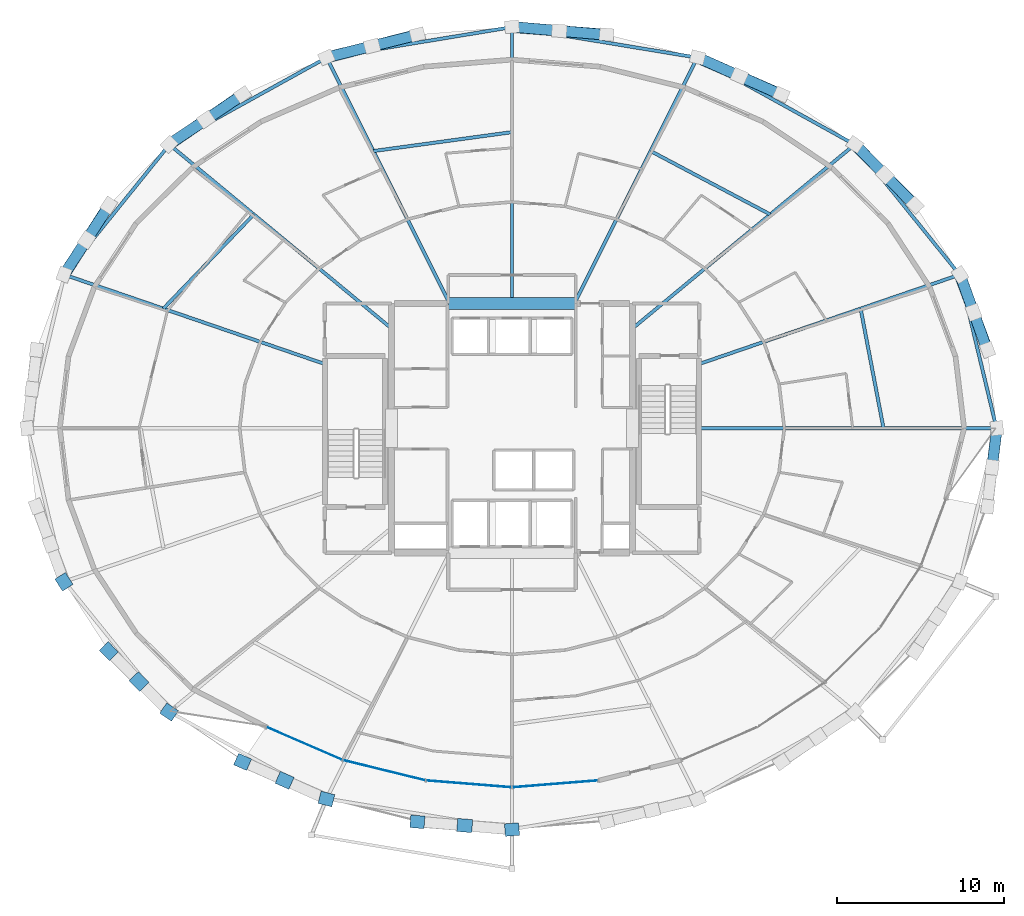
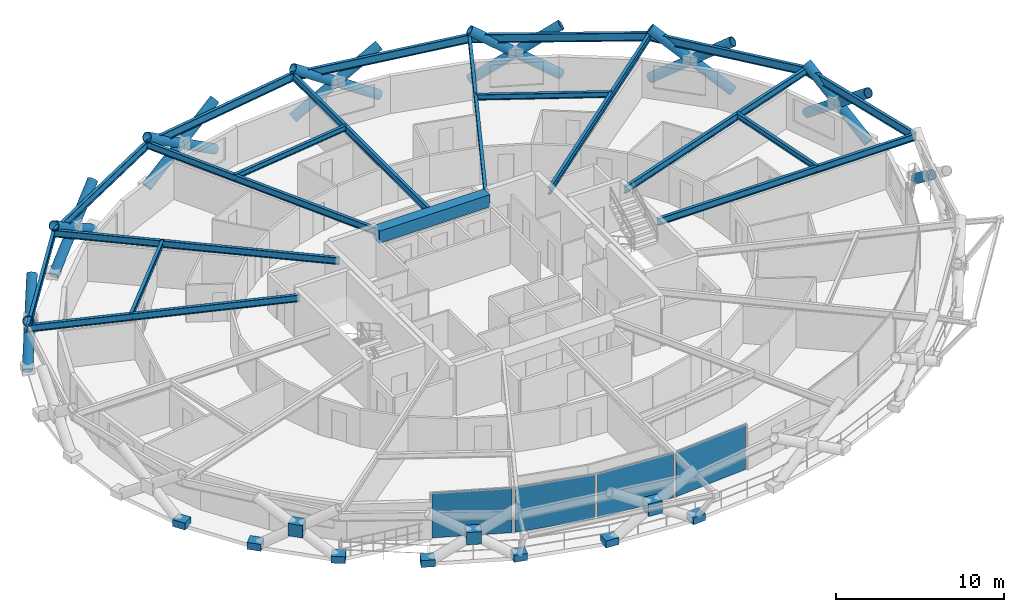
# One storey, part 11 of 20: 22 members, 20 beams, 14 plates, 1 element without a shape of its own.
"""IFC4 building model written with IfcOpenShell, lengths in metres."""

from ifc_helpers import new_model, si_unit, direction, frame, origin, origin_2d, place, context, subcontext, project, spatial, rectangle, hollow_circle, i_section, extrude, material, layer, layer_set, material_profile, profile_set, type_object, element, aggregate, save


model = new_model("IFC4")

# Units and contexts
model_context = context("Model", 3, precision=1e-05, world=origin(), true_north=direction((0.0, 1.0)))
body_context = subcontext(model_context, "Body", "Model", "MODEL_VIEW")
ifc_project = project(units=[si_unit("LENGTHUNIT", "METRE"), si_unit("AREAUNIT", "SQUARE_METRE"), si_unit("VOLUMEUNIT", "CUBIC_METRE"), si_unit("PLANEANGLEUNIT", "RADIAN"), si_unit("MASSUNIT", "GRAM", prefix="KILO")], contexts=[model_context])

# Site, building, storey
site_placement = place(None, origin())
site = spatial("IfcSite", under=ifc_project, at=site_placement, CompositionType="ELEMENT")
building_placement = place(site_placement, origin())
building = spatial("IfcBuilding", under=site, at=building_placement, Name="Veldorina Hangang Commons", CompositionType="ELEMENT")
storey_placement = place(building_placement, frame((0.0, 0.0, 84.39990234375)))
storey = spatial("IfcBuildingStorey", under=building, at=storey_placement, Name="L21", CompositionType="ELEMENT", Elevation=84.39990234375)

# Beams
ifc_material_1 = material(Name="Concrete C70/85", Category="concrete")
ifc_material_profile_1 = material_profile(ifc_material_1, rectangle(XDim=0.699951171875, YDim=0.89990234375, at=origin_2d()), Name="RC-CB-700x900")
ifc_profile_set_1 = profile_set([ifc_material_profile_1], Name="Concrete C70/85")
beam_type_1 = type_object("IfcBeamType", Name="BM-CB900", PredefinedType="LINTEL", material=ifc_profile_set_1)
beam_1_placement = place(storey_placement, frame((28.199951171875, 31.449951171875, 2.89013671875), z_axis=(1.0, 0.0, 0.0), x_axis=(0.0, 1.0, 0.0)))
element("IfcBeam", 1, at=beam_1_placement, inside=storey, type_object=beam_type_1, Name="L21 north core coupling beam", PredefinedType="LINTEL", context=body_context, shape_type="SweptSolid", body=[
    extrude(rectangle(XDim=0.699951171875, YDim=0.89990234375, at=origin_2d()), origin(), (0.0, 0.0, 1.0), 7.60009765625),
])
ifc_material_2 = material(Name="Steel SM420-TMC", Category="steel")
ifc_material_profile_2 = material_profile(ifc_material_2, i_section(OverallWidth=0.199951171875, OverallDepth=0.5, WebThickness=0.010009765625, FlangeThickness=0.01611328125, FilletRadius=0.01611328125, at=origin_2d()), Name="H-500x200x10x16")
ifc_profile_set_2 = profile_set([ifc_material_profile_2], Name="Steel SM420-TMC")
beam_type_2 = type_object("IfcBeamType", Name="BM-FG500", PredefinedType="BEAM", material=ifc_profile_set_2)
beam_2_placement = place(storey_placement, frame((43.179931640625, 24.0, 3.090087890625), z_axis=(1.0, 0.0, 0.0), x_axis=(0.0, 1.0, 0.0)))
element("IfcBeam", 2, at=beam_2_placement, inside=storey, type_object=beam_type_2, Name="L21 radial floor girder 01", PredefinedType="BEAM", context=body_context, shape_type="SweptSolid", body=[
    extrude(i_section(OverallWidth=0.199951171875, OverallDepth=0.5, WebThickness=0.010009765625, FlangeThickness=0.01611328125, FilletRadius=0.01611328125, at=origin_2d()), origin(), (0.0, 0.0, 1.0), 17.77587890625),
])
beam_3_placement = place(storey_placement, frame((43.179931640625, 27.83349609375, 3.090087890625), z_axis=(0.945941915866, 0.324336078487, 0.0), x_axis=(-0.324336078487, 0.945941915866, 0.0)))
element("IfcBeam", 3, at=beam_3_placement, inside=storey, type_object=beam_type_2, Name="L21 radial floor girder 02", PredefinedType="BEAM", context=body_context, shape_type="SweptSolid", body=[
    extrude(i_section(OverallWidth=0.199951171875, OverallDepth=0.5, WebThickness=0.010009765625, FlangeThickness=0.01611328125, FilletRadius=0.01611328125, at=origin_2d()), origin(), (0.0, 0.0, 1.0), 16.461669921875),
])
beam_4_placement = place(storey_placement, frame((39.199951171875, 29.9599609375, 3.090087890625), z_axis=(0.770318971454, 0.637658750601, 0.0), x_axis=(-0.637658750601, 0.770318971454, 0.0)))
element("IfcBeam", 4, at=beam_4_placement, inside=storey, type_object=beam_type_2, Name="L21 radial floor girder 03", PredefinedType="BEAM", context=body_context, shape_type="SweptSolid", body=[
    extrude(i_section(OverallWidth=0.199951171875, OverallDepth=0.5, WebThickness=0.010009765625, FlangeThickness=0.01611328125, FilletRadius=0.01611328125, at=origin_2d()), origin(), (0.0, 0.0, 1.0), 17.23291015625),
])
beam_5_placement = place(storey_placement, frame((35.727783203125, 31.449951171875, 3.090087890625), z_axis=(0.447492903879, 0.894287482289, 0.0), x_axis=(-0.894287482289, 0.447492903879, 0.0)))
element("IfcBeam", 5, at=beam_5_placement, inside=storey, type_object=beam_type_2, Name="L21 radial floor girder 04", PredefinedType="BEAM", context=body_context, shape_type="SweptSolid", body=[
    extrude(i_section(OverallWidth=0.199951171875, OverallDepth=0.5, WebThickness=0.010009765625, FlangeThickness=0.01611328125, FilletRadius=0.01611328125, at=origin_2d()), origin(), (0.0, 0.0, 1.0), 16.431640625),
])
beam_6_placement = place(storey_placement, frame((32.0, 31.449951171875, 3.090087890625), z_axis=(0.0, 1.0, 0.0), x_axis=(-1.0, 0.0, 0.0)))
element("IfcBeam", 6, at=beam_6_placement, inside=storey, type_object=beam_type_2, Name="L21 radial floor girder 05", PredefinedType="BEAM", context=body_context, shape_type="SweptSolid", body=[
    extrude(i_section(OverallWidth=0.199951171875, OverallDepth=0.5, WebThickness=0.010009765625, FlangeThickness=0.01611328125, FilletRadius=0.01611328125, at=origin_2d()), origin(), (0.0, 0.0, 1.0), 16.519287109375),
])
beam_7_placement = place(storey_placement, frame((28.272216796875, 31.449951171875, 3.090087890625), z_axis=(-0.447492903879, 0.894287482289, 0.0), x_axis=(-0.894287482289, -0.447492903879, 0.0)))
element("IfcBeam", 7, at=beam_7_placement, inside=storey, type_object=beam_type_2, Name="L21 radial floor girder 06", PredefinedType="BEAM", context=body_context, shape_type="SweptSolid", body=[
    extrude(i_section(OverallWidth=0.199951171875, OverallDepth=0.5, WebThickness=0.010009765625, FlangeThickness=0.01611328125, FilletRadius=0.01611328125, at=origin_2d()), origin(), (0.0, 0.0, 1.0), 16.431640625),
])
beam_8_placement = place(storey_placement, frame((24.800048828125, 29.9599609375, 3.090087890625), z_axis=(-0.770318971454, 0.637658750601, 0.0), x_axis=(-0.637658750601, -0.770318971454, 0.0)))
element("IfcBeam", 8, at=beam_8_placement, inside=storey, type_object=beam_type_2, Name="L21 radial floor girder 07", PredefinedType="BEAM", context=body_context, shape_type="SweptSolid", body=[
    extrude(i_section(OverallWidth=0.199951171875, OverallDepth=0.5, WebThickness=0.010009765625, FlangeThickness=0.01611328125, FilletRadius=0.01611328125, at=origin_2d()), origin(), (0.0, 0.0, 1.0), 17.23291015625),
])
beam_9_placement = place(storey_placement, frame((20.820068359375, 27.83349609375, 3.090087890625), z_axis=(-0.945941915866, 0.324336078487, 0.0), x_axis=(-0.324336078487, -0.945941915866, 0.0)))
element("IfcBeam", 9, at=beam_9_placement, inside=storey, type_object=beam_type_2, Name="L21 radial floor girder 08", PredefinedType="BEAM", context=body_context, shape_type="SweptSolid", body=[
    extrude(i_section(OverallWidth=0.199951171875, OverallDepth=0.5, WebThickness=0.010009765625, FlangeThickness=0.01611328125, FilletRadius=0.01611328125, at=origin_2d()), origin(), (0.0, 0.0, 1.0), 16.461669921875),
])
ifc_material_3 = material(Name="Steel SM355-TMC", Category="steel")
ifc_material_profile_3 = material_profile(ifc_material_3, i_section(OverallWidth=0.199951171875, OverallDepth=0.39990234375, WebThickness=0.008056640625, FlangeThickness=0.012939453125, FilletRadius=0.012939453125, at=origin_2d()), Name="H-400x200x8x13")
ifc_profile_set_3 = profile_set([ifc_material_profile_3], Name="Steel SM355-TMC")
beam_type_3 = type_object("IfcBeamType", Name="BM-JST400", PredefinedType="JOIST", material=ifc_profile_set_3)
beam_10_placement = place(storey_placement, frame((54.201171875, 24.0, 3.14013671875), z_axis=(-0.187904860996, 0.982187234296, 0.0), x_axis=(-0.982187234296, -0.187904860996, 0.0)))
element("IfcBeam", 10, at=beam_10_placement, inside=storey, type_object=beam_type_3, Name="L21 secondary floor joist 01", PredefinedType="JOIST", context=body_context, shape_type="SweptSolid", body=[
    extrude(i_section(OverallWidth=0.199951171875, OverallDepth=0.39990234375, WebThickness=0.008056640625, FlangeThickness=0.012939453125, FilletRadius=0.012939453125, at=origin_2d()), origin(), (0.0, 0.0, 1.0), 7.2734375),
])
beam_11_placement = place(storey_placement, frame((47.430419921875, 36.773193359375, 3.14013671875), z_axis=(-0.883495427021, 0.468439783145, 0.0), x_axis=(-0.468439783145, -0.883495427021, 0.0)))
element("IfcBeam", 11, at=beam_11_placement, inside=storey, type_object=beam_type_3, Name="L21 secondary floor joist 03", PredefinedType="JOIST", context=body_context, shape_type="SweptSolid", body=[
    extrude(i_section(OverallWidth=0.199951171875, OverallDepth=0.39990234375, WebThickness=0.008056640625, FlangeThickness=0.012939453125, FilletRadius=0.012939453125, at=origin_2d()), origin(), (0.0, 0.0, 1.0), 8.08544921875),
])
beam_12_placement = place(storey_placement, frame((32.0, 41.69189453125, 3.14013671875), z_axis=(-0.990812929899, -0.135239557618, 0.0), x_axis=(0.135239557618, -0.990812929899, 0.0)))
element("IfcBeam", 12, at=beam_12_placement, inside=storey, type_object=beam_type_3, Name="L21 secondary floor joist 05", PredefinedType="JOIST", context=body_context, shape_type="SweptSolid", body=[
    extrude(i_section(OverallWidth=0.199951171875, OverallDepth=0.39990234375, WebThickness=0.008056640625, FlangeThickness=0.012939453125, FilletRadius=0.012939453125, at=origin_2d()), origin(), (0.0, 0.0, 1.0), 8.36376953125),
])
beam_13_placement = place(storey_placement, frame((16.569580078125, 36.773193359375, 3.14013671875), z_axis=(-0.692520756794, -0.721397949408, 0.0), x_axis=(0.721397949408, -0.692520756794, 0.0)))
element("IfcBeam", 13, at=beam_13_placement, inside=storey, type_object=beam_type_3, Name="L21 secondary floor joist 07", PredefinedType="JOIST", context=body_context, shape_type="SweptSolid", body=[
    extrude(i_section(OverallWidth=0.199951171875, OverallDepth=0.39990234375, WebThickness=0.008056640625, FlangeThickness=0.012939453125, FilletRadius=0.012939453125, at=origin_2d()), origin(), (0.0, 0.0, 1.0), 7.803466796875),
])
ifc_material_profile_4 = material_profile(ifc_material_2, i_section(OverallWidth=0.199951171875, OverallDepth=0.60009765625, WebThickness=0.010986328125, FlangeThickness=0.01708984375, FilletRadius=0.01806640625, at=origin_2d()), Name="H-600x200x11x17")
ifc_profile_set_4 = profile_set([ifc_material_profile_4], Name="Steel SM420-TMC")
beam_type_4 = type_object("IfcBeamType", Name="BM-RB600", PredefinedType="BEAM", material=ifc_profile_set_4)
beam_14_placement = place(storey_placement, frame((60.955810546875, 24.0, 3.0400390625), z_axis=(-0.233641136249, 0.97232289876, 0.0), x_axis=(-0.97232289876, -0.233641136249, 0.0)))
element("IfcBeam", 14, at=beam_14_placement, inside=storey, type_object=beam_type_4, Name="L21 perimeter hoop ring beam 00", PredefinedType="BEAM", context=body_context, shape_type="SweptSolid", body=[
    extrude(i_section(OverallWidth=0.199951171875, OverallDepth=0.60009765625, WebThickness=0.010986328125, FlangeThickness=0.01708984375, FilletRadius=0.01806640625, at=origin_2d()), origin(), (0.0, 0.0, 1.0), 9.43359375),
])
beam_15_placement = place(storey_placement, frame((58.751708984375, 33.172607421875, 3.0400390625), z_axis=(-0.628103361336, 0.778129916838, 0.0), x_axis=(-0.778129916838, -0.628103361336, 0.0)))
element("IfcBeam", 15, at=beam_15_placement, inside=storey, type_object=beam_type_4, Name="L21 perimeter hoop ring beam 02", PredefinedType="BEAM", context=body_context, shape_type="SweptSolid", body=[
    extrude(i_section(OverallWidth=0.199951171875, OverallDepth=0.60009765625, WebThickness=0.010986328125, FlangeThickness=0.01708984375, FilletRadius=0.01806640625, at=origin_2d()), origin(), (0.0, 0.0, 1.0), 9.993408203125),
])
beam_16_placement = place(storey_placement, frame((52.474853515625, 40.94873046875, 3.0400390625), z_axis=(-0.875069702145, 0.483996917746, 0.0), x_axis=(-0.483996917746, -0.875069702145, 0.0)))
element("IfcBeam", 16, at=beam_16_placement, inside=storey, type_object=beam_type_4, Name="L21 perimeter hoop ring beam 04", PredefinedType="BEAM", context=body_context, shape_type="SweptSolid", body=[
    extrude(i_section(OverallWidth=0.199951171875, OverallDepth=0.60009765625, WebThickness=0.010986328125, FlangeThickness=0.01708984375, FilletRadius=0.01806640625, at=origin_2d()), origin(), (0.0, 0.0, 1.0), 10.735107421875),
])
for number, where, z_axis, x_axis, name in (
    (17, (43.080810546875, 46.14453125, 3.0400390625), (-0.986711114759, 0.162484386977, 0.0), (-0.162484386977, -0.986711114759, 0.0), "L21 perimeter hoop ring beam 06"),
    (18, (32.0, 47.96923828125, 3.0400390625), (-0.986711114759, -0.162484386977, 0.0), (0.162484386977, -0.986711114759, 0.0), "L21 perimeter hoop ring beam 08"),
):
    element("IfcBeam", number, at=place(storey_placement, frame(where, z_axis=z_axis, x_axis=x_axis)), inside=storey, type_object=beam_type_4, Name=name, PredefinedType="BEAM", context=body_context, shape_type="SweptSolid", body=[
        extrude(i_section(OverallWidth=0.199951171875, OverallDepth=0.60009765625, WebThickness=0.010986328125, FlangeThickness=0.01708984375, FilletRadius=0.01806640625, at=origin_2d()), origin(), (0.0, 0.0, 1.0), 11.22998046875),
    ])
beam_17_placement = place(storey_placement, frame((20.919189453125, 46.14453125, 3.0400390625), z_axis=(-0.875069702145, -0.483996917746, 0.0), x_axis=(0.483996917746, -0.875069702145, 0.0)))
element("IfcBeam", 19, at=beam_17_placement, inside=storey, type_object=beam_type_4, Name="L21 perimeter hoop ring beam 10", PredefinedType="BEAM", context=body_context, shape_type="SweptSolid", body=[
    extrude(i_section(OverallWidth=0.199951171875, OverallDepth=0.60009765625, WebThickness=0.010986328125, FlangeThickness=0.01708984375, FilletRadius=0.01806640625, at=origin_2d()), origin(), (0.0, 0.0, 1.0), 10.735107421875),
])
beam_18_placement = place(storey_placement, frame((11.525146484375, 40.94873046875, 3.0400390625), z_axis=(-0.628103361336, -0.778129916838, 0.0), x_axis=(0.778129916838, -0.628103361336, 0.0)))
element("IfcBeam", 20, at=beam_18_placement, inside=storey, type_object=beam_type_4, Name="L21 perimeter hoop ring beam 12", PredefinedType="BEAM", context=body_context, shape_type="SweptSolid", body=[
    extrude(i_section(OverallWidth=0.199951171875, OverallDepth=0.60009765625, WebThickness=0.010986328125, FlangeThickness=0.01708984375, FilletRadius=0.01806640625, at=origin_2d()), origin(), (0.0, 0.0, 1.0), 9.993408203125),
])

# Members
ifc_material_4 = material(Name="Steel SM460-TMC", Category="steel")
ifc_material_profile_5 = material_profile(ifc_material_4, hollow_circle(Radius=0.324951171875, WallThickness=0.031982421875, at=origin_2d()), Name="CHS-650x32")
ifc_profile_set_5 = profile_set([ifc_material_profile_5], Name="Steel SM460-TMC")
member_type = type_object("IfcMemberType", Name="DG-CHS650", PredefinedType="BRACE", material=ifc_profile_set_5)
member_1_placement = place(storey_placement, frame((60.422119140625, 28.67919921875, 0.0), z_axis=(-0.279270856018, 0.74928313659, 0.600485278921), x_axis=(-0.937030491303, -0.349247560291, 0.0)))
element("IfcMember", 21, at=member_1_placement, inside=storey, type_object=member_type, Name="L21 continuous perimeter diagrid brace 01", PredefinedType="BRACE", context=body_context, shape_type="SweptSolid", body=[
    extrude(hollow_circle(Radius=0.324951171875, WallThickness=0.031982421875, at=origin_2d()), origin(), (0.0, 0.0, 1.0), 5.995361328125),
])
member_2_placement = place(storey_placement, frame((58.773193359375, 33.1787109375, 0.0), z_axis=(0.27088617834, -0.751863983564, 0.601100015475), x_axis=(0.940801585825, 0.338957779242, 0.0)))
element("IfcMember", 22, at=member_2_placement, inside=storey, type_object=member_type, Name="L21 split perimeter diagrid lower brace 02", PredefinedType="BRACE", context=body_context, shape_type="SweptSolid", body=[
    extrude(hollow_circle(Radius=0.324951171875, WallThickness=0.031982421875, at=origin_2d()), origin(), (0.0, 0.0, 1.0), 2.995849609375),
])
member_3_placement = place(storey_placement, frame((59.584716796875, 30.92626953125, 1.80078125), z_axis=(0.270855414533, -0.751886801138, 0.60108533728), x_axis=(0.940817140557, 0.338914602863, 0.0)))
element("IfcMember", 23, at=member_3_placement, inside=storey, type_object=member_type, Name="L21 split perimeter diagrid upper brace 02", PredefinedType="BRACE", context=body_context, shape_type="SweptSolid", body=[
    extrude(hollow_circle(Radius=0.324951171875, WallThickness=0.031982421875, at=origin_2d()), origin(), (0.0, 0.0, 1.0), 2.993408203125),
])
member_4_placement = place(storey_placement, frame((56.09521484375, 37.325439453125, 0.0), z_axis=(-0.578686572003, 0.578374632607, 0.574982291675), x_axis=(-0.706916122139, -0.70729738884, 0.0)))
element("IfcMember", 24, at=member_4_placement, inside=storey, type_object=member_type, Name="L21 continuous perimeter diagrid brace 03", PredefinedType="BRACE", context=body_context, shape_type="SweptSolid", body=[
    extrude(hollow_circle(Radius=0.324951171875, WallThickness=0.031982421875, at=origin_2d()), origin(), (0.0, 0.0, 1.0), 6.26123046875),
])
member_5_placement = place(storey_placement, frame((52.4912109375, 40.960205078125, 0.0), z_axis=(0.572961978396, -0.583112572181, 0.575929075041), x_axis=(0.713287843299, 0.700871209711, 0.0)))
element("IfcMember", 25, at=member_5_placement, inside=storey, type_object=member_type, Name="L21 split perimeter diagrid lower brace 04", PredefinedType="BRACE", context=body_context, shape_type="SweptSolid", body=[
    extrude(hollow_circle(Radius=0.324951171875, WallThickness=0.031982421875, at=origin_2d()), origin(), (0.0, 0.0, 1.0), 3.126708984375),
])
member_6_placement = place(storey_placement, frame((54.28271484375, 39.136962890625, 1.80078125), z_axis=(0.57287979877, -0.583194917231, 0.575927447407), x_axis=(0.713387570597, 0.700769701199, 0.0)))
element("IfcMember", 26, at=member_6_placement, inside=storey, type_object=member_type, Name="L21 split perimeter diagrid upper brace 04", PredefinedType="BRACE", context=body_context, shape_type="SweptSolid", body=[
    extrude(hollow_circle(Radius=0.324951171875, WallThickness=0.031982421875, at=origin_2d()), origin(), (0.0, 0.0, 1.0), 3.124267578125),
])
member_7_placement = place(storey_placement, frame((48.099853515625, 43.943115234375, 0.0), z_axis=(-0.765614766441, 0.335300845486, 0.549005803634), x_axis=(-0.401164643346, -0.916005965553, 0.0)))
element("IfcMember", 27, at=member_7_placement, inside=storey, type_object=member_type, Name="L21 continuous perimeter diagrid brace 05", PredefinedType="BRACE", context=body_context, shape_type="SweptSolid", body=[
    extrude(hollow_circle(Radius=0.324951171875, WallThickness=0.031982421875, at=origin_2d()), origin(), (0.0, 0.0, 1.0), 6.557373046875),
])
member_8_placement = place(storey_placement, frame((43.08984375, 46.159423828125, 0.0), z_axis=(0.762686188377, -0.34080163567, 0.549694481675), x_axis=(0.407966960305, 0.912996691834, 0.0)))
element("IfcMember", 28, at=member_8_placement, inside=storey, type_object=member_type, Name="L21 split perimeter diagrid lower brace 06", PredefinedType="BRACE", context=body_context, shape_type="SweptSolid", body=[
    extrude(hollow_circle(Radius=0.324951171875, WallThickness=0.031982421875, at=origin_2d()), origin(), (0.0, 0.0, 1.0), 3.27587890625),
])
member_9_placement = place(storey_placement, frame((45.58837890625, 45.04296875, 1.80078125), z_axis=(0.762651164362, -0.340862182996, 0.549705533628), x_axis=(0.4080429927, 0.912962713427, 0.0)))
element("IfcMember", 29, at=member_9_placement, inside=storey, type_object=member_type, Name="L21 split perimeter diagrid upper brace 06", PredefinedType="BRACE", context=body_context, shape_type="SweptSolid", body=[
    extrude(hollow_circle(Radius=0.324951171875, WallThickness=0.031982421875, at=origin_2d()), origin(), (0.0, 0.0, 1.0), 3.273193359375),
])
member_10_placement = place(storey_placement, frame((37.653564453125, 47.5244140625, 0.0), z_axis=(-0.841673679343, 0.06578699139, 0.535964074603), x_axis=(-0.077924440757, -0.99695926774, 0.0)))
element("IfcMember", 30, at=member_10_placement, inside=storey, type_object=member_type, Name="L21 continuous perimeter diagrid brace 07", PredefinedType="BRACE", context=body_context, shape_type="SweptSolid", body=[
    extrude(hollow_circle(Radius=0.324951171875, WallThickness=0.031982421875, at=origin_2d()), origin(), (0.0, 0.0, 1.0), 6.717041015625),
])
member_11_placement = place(storey_placement, frame((32.0, 47.9853515625, 0.0), z_axis=(0.841131254183, -0.071444916864, 0.536091258174), x_axis=(0.084634327605, 0.996412078706, 0.0)))
element("IfcMember", 31, at=member_11_placement, inside=storey, type_object=member_type, Name="L21 split perimeter diagrid lower brace 08", PredefinedType="BRACE", context=body_context, shape_type="SweptSolid", body=[
    extrude(hollow_circle(Radius=0.324951171875, WallThickness=0.031982421875, at=origin_2d()), origin(), (0.0, 0.0, 1.0), 3.359130859375),
])
member_12_placement = place(storey_placement, frame((34.825439453125, 47.745361328125, 1.80078125), z_axis=(0.841098382114, -0.071437347452, 0.536143839836), x_axis=(0.084628708696, 0.996412555955, 0.0)))
element("IfcMember", 32, at=member_12_placement, inside=storey, type_object=member_type, Name="L21 split perimeter diagrid upper brace 08", PredefinedType="BRACE", context=body_context, shape_type="SweptSolid", body=[
    extrude(hollow_circle(Radius=0.324951171875, WallThickness=0.031982421875, at=origin_2d()), origin(), (0.0, 0.0, 1.0), 3.35595703125),
])
member_13_placement = place(storey_placement, frame((26.346435546875, 47.5244140625, 0.0), z_axis=(-0.815088999399, -0.207696589435, 0.540825341304), x_axis=(0.246924227019, -0.96903479097, 0.0)))
element("IfcMember", 33, at=member_13_placement, inside=storey, type_object=member_type, Name="L21 continuous perimeter diagrid brace 09", PredefinedType="BRACE", context=body_context, shape_type="SweptSolid", body=[
    extrude(hollow_circle(Radius=0.324951171875, WallThickness=0.031982421875, at=origin_2d()), origin(), (0.0, 0.0, 1.0), 6.65673828125),
])
member_14_placement = place(storey_placement, frame((20.91015625, 46.159423828125, 0.0), z_axis=(0.816791311222, 0.202036810435, 0.540400852277), x_axis=(-0.240117615109, 0.970743802924, 0.0)))
element("IfcMember", 34, at=member_14_placement, inside=storey, type_object=member_type, Name="L21 split perimeter diagrid lower brace 10", PredefinedType="BRACE", context=body_context, shape_type="SweptSolid", body=[
    extrude(hollow_circle(Radius=0.324951171875, WallThickness=0.031982421875, at=origin_2d()), origin(), (0.0, 0.0, 1.0), 3.332763671875),
])
member_15_placement = place(storey_placement, frame((23.63232421875, 46.832763671875, 1.801025390625), z_axis=(0.816805962304, 0.202093296715, 0.540357584722), x_axis=(-0.240176816373, 0.970729157323, 0.0)))
element("IfcMember", 35, at=member_15_placement, inside=storey, type_object=member_type, Name="L21 split perimeter diagrid upper brace 10", PredefinedType="BRACE", context=body_context, shape_type="SweptSolid", body=[
    extrude(hollow_circle(Radius=0.324951171875, WallThickness=0.031982421875, at=origin_2d()), origin(), (0.0, 0.0, 1.0), 3.329345703125),
])
member_16_placement = place(storey_placement, frame((15.900146484375, 43.943115234375, 0.0), z_axis=(-0.682355599317, -0.46764296797, 0.561872664034), x_axis=(0.565316186681, -0.824874298955, 0.0)))
element("IfcMember", 36, at=member_16_placement, inside=storey, type_object=member_type, Name="L21 continuous perimeter diagrid brace 11", PredefinedType="BRACE", context=body_context, shape_type="SweptSolid", body=[
    extrude(hollow_circle(Radius=0.324951171875, WallThickness=0.031982421875, at=origin_2d()), origin(), (0.0, 0.0, 1.0), 6.4072265625),
])
member_17_placement = place(storey_placement, frame((11.5087890625, 40.960205078125, 0.0), z_axis=(0.686719625217, 0.462275100462, 0.560997226227), x_axis=(-0.558426222761, 0.829554189751, 0.0)))
element("IfcMember", 37, at=member_17_placement, inside=storey, type_object=member_type, Name="L21 split perimeter diagrid lower brace 12", PredefinedType="BRACE", context=body_context, shape_type="SweptSolid", body=[
    extrude(hollow_circle(Radius=0.324951171875, WallThickness=0.031982421875, at=origin_2d()), origin(), (0.0, 0.0, 1.0), 3.2099609375),
])
member_18_placement = place(storey_placement, frame((13.713134765625, 42.444091796875, 1.80078125), z_axis=(0.686606048447, 0.462431457241, 0.561007381048), x_axis=(-0.558619744969, 0.829423884712, 0.0)))
element("IfcMember", 38, at=member_18_placement, inside=storey, type_object=member_type, Name="L21 split perimeter diagrid upper brace 12", PredefinedType="BRACE", context=body_context, shape_type="SweptSolid", body=[
    extrude(hollow_circle(Radius=0.324951171875, WallThickness=0.031982421875, at=origin_2d()), origin(), (0.0, 0.0, 1.0), 3.207275390625),
])
member_19_placement = place(storey_placement, frame((7.90478515625, 37.325439453125, 0.0), z_axis=(-0.434598968785, -0.680598385078, 0.589838600433), x_axis=(0.842824210634, -0.538188953778, 0.0)))
element("IfcMember", 39, at=member_19_placement, inside=storey, type_object=member_type, Name="L21 continuous perimeter diagrid brace 13", PredefinedType="BRACE", context=body_context, shape_type="SweptSolid", body=[
    extrude(hollow_circle(Radius=0.324951171875, WallThickness=0.031982421875, at=origin_2d()), origin(), (0.0, 0.0, 1.0), 6.103515625),
])
member_20_placement = place(storey_placement, frame((5.226806640625, 33.1787109375, 0.0), z_axis=(0.441887620067, 0.676645408827, 0.588970561188), x_axis=(-0.837272350838, 0.546786073819, 0.0)))
element("IfcMember", 40, at=member_20_placement, inside=storey, type_object=member_type, Name="L21 split perimeter diagrid lower brace 14", PredefinedType="BRACE", context=body_context, shape_type="SweptSolid", body=[
    extrude(hollow_circle(Radius=0.324951171875, WallThickness=0.031982421875, at=origin_2d()), origin(), (0.0, 0.0, 1.0), 3.0576171875),
])
member_21_placement = place(storey_placement, frame((6.577880859375, 35.24755859375, 1.80078125), z_axis=(0.44176991288, 0.676719902726, 0.588973273865), x_axis=(-0.83736657706, 0.54664176169, 0.0)))
element("IfcMember", 41, at=member_21_placement, inside=storey, type_object=member_type, Name="L21 split perimeter diagrid upper brace 14", PredefinedType="BRACE", context=body_context, shape_type="SweptSolid", body=[
    extrude(hollow_circle(Radius=0.324951171875, WallThickness=0.031982421875, at=origin_2d()), origin(), (0.0, 0.0, 1.0), 3.054931640625),
])
member_22_placement = place(storey_placement, frame((60.97900390625, 24.0, 0.0), z_axis=(-0.098446039913, -0.788473759474, 0.607138787961), x_axis=(0.992295397538, -0.123894487468, 0.0)))
element("IfcMember", 42, at=member_22_placement, inside=storey, type_object=member_type, Name="L21 split perimeter diagrid lower brace 00", PredefinedType="BRACE", context=body_context, shape_type="SweptSolid", body=[
    extrude(hollow_circle(Radius=0.324951171875, WallThickness=0.031982421875, at=origin_2d()), origin(), (0.0, 0.0, 1.0), 2.966064453125),
])

# Curtain wall, plates
ifc_material_5 = material(Name="Glass Low-E Triple IGU", Category="glass")
ifc_layer_1 = layer(ifc_material_5, 0.179931640625)
ifc_layer_set_1 = layer_set([ifc_layer_1], Name="Glass Low-E Triple IGU")
curtain_wall_type = type_object("IfcCurtainWallType", Name="CW-SYS-Z1", PredefinedType="NOTDEFINED", material=ifc_layer_set_1)
curtain_wall_placement = place(storey_placement, origin())
curtain_wall = element("IfcCurtainWall", 43, at=curtain_wall_placement, inside=storey, type_object=curtain_wall_type, Name="L21 unitised curtain wall CW-L21-R1", PredefinedType="NOTDEFINED")
ifc_layer_2 = layer(ifc_material_5, 0.0400390625)
ifc_layer_set_2 = layer_set([ifc_layer_2], Name="Glass Low-E Triple IGU")
plate_type_1 = type_object("IfcPlateType", Name="CW-PNL-VIS", PredefinedType="CURTAIN_PANEL", material=ifc_layer_set_2)
plate_1_placement = place(storey_placement, frame((19.58740234375, 5.160400390625, 0.01513671875), z_axis=(0.0, 0.0, 1.0), x_axis=(0.91744936741, -0.397852558416, 0.0)))
plate_1 = element("IfcPlate", 44, at=plate_1_placement, type_object=plate_type_1, Name="CW-L21-R1 facet 1 glazed vision panel", PredefinedType="CURTAIN_PANEL", context=body_context, shape_type="SweptSolid", body=[
    extrude(rectangle(XDim=4.805908203125, YDim=0.0400390625, at=origin_2d()), origin(), (0.0, 0.0, 1.0), 3.27001953125),
])
plate_2_placement = place(storey_placement, frame((24.356201171875, 3.557861328125, 0.01513671875), z_axis=(0.0, 0.0, 1.0), x_axis=(0.971025936875, -0.238974119761, 0.0)))
plate_2 = element("IfcPlate", 45, at=plate_2_placement, type_object=plate_type_1, Name="CW-L21-R1 facet 2 glazed vision panel", PredefinedType="CURTAIN_PANEL", context=body_context, shape_type="SweptSolid", body=[
    extrude(rectangle(XDim=4.931640625, YDim=0.0400390625, at=origin_2d()), origin(), (0.0, 0.0, 1.0), 3.27001953125),
])
plate_3_placement = place(storey_placement, frame((29.4189453125, 2.740966796875, 0.01513671875), z_axis=(0.0, 0.0, 1.0), x_axis=(0.996823514521, -0.079642205503, 0.0)))
plate_3 = element("IfcPlate", 46, at=plate_3_placement, type_object=plate_type_1, Name="CW-L21-R1 facet 3 glazed vision panel", PredefinedType="CURTAIN_PANEL", context=body_context, shape_type="SweptSolid", body=[
    extrude(rectangle(XDim=4.998291015625, YDim=0.0400390625, at=origin_2d()), origin(), (0.0, 0.0, 1.0), 3.27001953125),
])
plate_4_placement = place(storey_placement, frame((34.5810546875, 2.740966796875, 0.01513671875), z_axis=(0.0, 0.0, 1.0), x_axis=(0.996823514521, 0.079642205503, 0.0)))
plate_4 = element("IfcPlate", 47, at=plate_4_placement, type_object=plate_type_1, Name="CW-L21-R1 facet 4 glazed vision panel", PredefinedType="CURTAIN_PANEL", context=body_context, shape_type="SweptSolid", body=[
    extrude(rectangle(XDim=4.998291015625, YDim=0.0400390625, at=origin_2d()), origin(), (0.0, 0.0, 1.0), 3.27001953125),
])
aggregate(curtain_wall, [plate_1, plate_2, plate_3, plate_4])

# Plates
ifc_layer_3 = layer(ifc_material_4, 0.035888671875)
ifc_layer_set_3 = layer_set([ifc_layer_3], Name="Steel SM460-TMC")
plate_type_2 = type_object("IfcPlateType", Name="PL-STAR-36", PredefinedType="USERDEFINED", material=ifc_layer_set_3)
for number, where, z_axis, x_axis, name in (
    (48, (5.226806640625, 14.8212890625, -0.08984375), (0.0, 0.0, 1.0), (0.542500184935, -0.840055682288, 0.0), "L21 diagrid star-node gusset plate 18"),
    (49, (7.90478515625, 10.674560546875, -0.08984375), (0.0, 0.0, 1.0), (0.704101484713, -0.710099358699, 0.0), "L21 diagrid star-node gusset plate 19"),
):
    element("IfcPlate", number, at=place(storey_placement, frame(where, z_axis=z_axis, x_axis=x_axis)), inside=storey, type_object=plate_type_2, Name=name, ObjectType="GUSSET PLATE", PredefinedType="USERDEFINED", context=body_context, shape_type="SweptSolid", body=[
        extrude(rectangle(XDim=0.85009765625, YDim=0.75, at=origin_2d()), origin(), (0.0, 0.0, 1.0), 0.5),
    ])
plate_5_placement = place(storey_placement, frame((9.71728515625, 8.863037109375, 1.350830078125), z_axis=(0.0, 0.0, 1.0), x_axis=(0.704101484713, -0.710099358699, 0.0)))
element("IfcPlate", 50, at=plate_5_placement, inside=storey, type_object=plate_type_2, Name="L21 diagrid X-crossing star-node gusset plate 19", ObjectType="GUSSET PLATE", PredefinedType="USERDEFINED", context=body_context, shape_type="SweptSolid", body=[
    extrude(rectangle(XDim=0.89990234375, YDim=0.780029296875, at=origin_2d()), origin(), (0.0, 0.0, 1.0), 0.89990234375),
])
for number, where, z_axis, x_axis, name in (
    (51, (11.5087890625, 7.039794921875, -0.08984375), (0.0, 0.0, 1.0), (0.827217892461, -0.561881267166, 0.0), "L21 diagrid star-node gusset plate 20"),
    (52, (15.900146484375, 4.056884765625, -0.08984375), (0.0, 0.0, 1.0), (0.914501271551, -0.404583025264, 0.0), "L21 diagrid star-node gusset plate 21"),
):
    element("IfcPlate", number, at=place(storey_placement, frame(where, z_axis=z_axis, x_axis=x_axis)), inside=storey, type_object=plate_type_2, Name=name, ObjectType="GUSSET PLATE", PredefinedType="USERDEFINED", context=body_context, shape_type="SweptSolid", body=[
        extrude(rectangle(XDim=0.85009765625, YDim=0.75, at=origin_2d()), origin(), (0.0, 0.0, 1.0), 0.5),
    ])
plate_6_placement = place(storey_placement, frame((18.41162109375, 2.95703125, 1.350830078125), z_axis=(0.0, 0.0, 1.0), x_axis=(0.914501271551, -0.404583025264, 0.0)))
element("IfcPlate", 53, at=plate_6_placement, inside=storey, type_object=plate_type_2, Name="L21 diagrid X-crossing star-node gusset plate 21", ObjectType="GUSSET PLATE", PredefinedType="USERDEFINED", context=body_context, shape_type="SweptSolid", body=[
    extrude(rectangle(XDim=0.89990234375, YDim=0.780029296875, at=origin_2d()), origin(), (0.0, 0.0, 1.0), 0.89990234375),
])
for number, where, z_axis, x_axis, name in (
    (54, (20.91015625, 1.840576171875, -0.08984375), (0.0, 0.0, 1.0), (0.969897521271, -0.243513445691, 0.0), "L21 diagrid star-node gusset plate 22"),
    (55, (26.346435546875, 0.4755859375, -0.08984375), (0.0, 0.0, 1.0), (0.996692929705, -0.08126010015, 0.0), "L21 diagrid star-node gusset plate 23"),
):
    element("IfcPlate", number, at=place(storey_placement, frame(where, z_axis=z_axis, x_axis=x_axis)), inside=storey, type_object=plate_type_2, Name=name, ObjectType="GUSSET PLATE", PredefinedType="USERDEFINED", context=body_context, shape_type="SweptSolid", body=[
        extrude(rectangle(XDim=0.85009765625, YDim=0.75, at=origin_2d()), origin(), (0.0, 0.0, 1.0), 0.5),
    ])
plate_7_placement = place(storey_placement, frame((29.174560546875, 0.254638671875, 1.350830078125), z_axis=(0.0, 0.0, 1.0), x_axis=(0.996692929705, -0.08126010015, 0.0)))
element("IfcPlate", 56, at=plate_7_placement, inside=storey, type_object=plate_type_2, Name="L21 diagrid X-crossing star-node gusset plate 23", ObjectType="GUSSET PLATE", PredefinedType="USERDEFINED", context=body_context, shape_type="SweptSolid", body=[
    extrude(rectangle(XDim=0.89990234375, YDim=0.780029296875, at=origin_2d()), origin(), (0.0, 0.0, 1.0), 0.89990234375),
])
plate_8_placement = place(storey_placement, frame((32.0, 0.0146484375, -0.08984375), z_axis=(0.0, 0.0, 1.0), x_axis=(0.996692929705, 0.08126010015, 0.0)))
element("IfcPlate", 57, at=plate_8_placement, inside=storey, type_object=plate_type_2, Name="L21 diagrid star-node gusset plate 24", ObjectType="GUSSET PLATE", PredefinedType="USERDEFINED", context=body_context, shape_type="SweptSolid", body=[
    extrude(rectangle(XDim=0.85009765625, YDim=0.75, at=origin_2d()), origin(), (0.0, 0.0, 1.0), 0.5),
])

save(model, "model.ifc")
